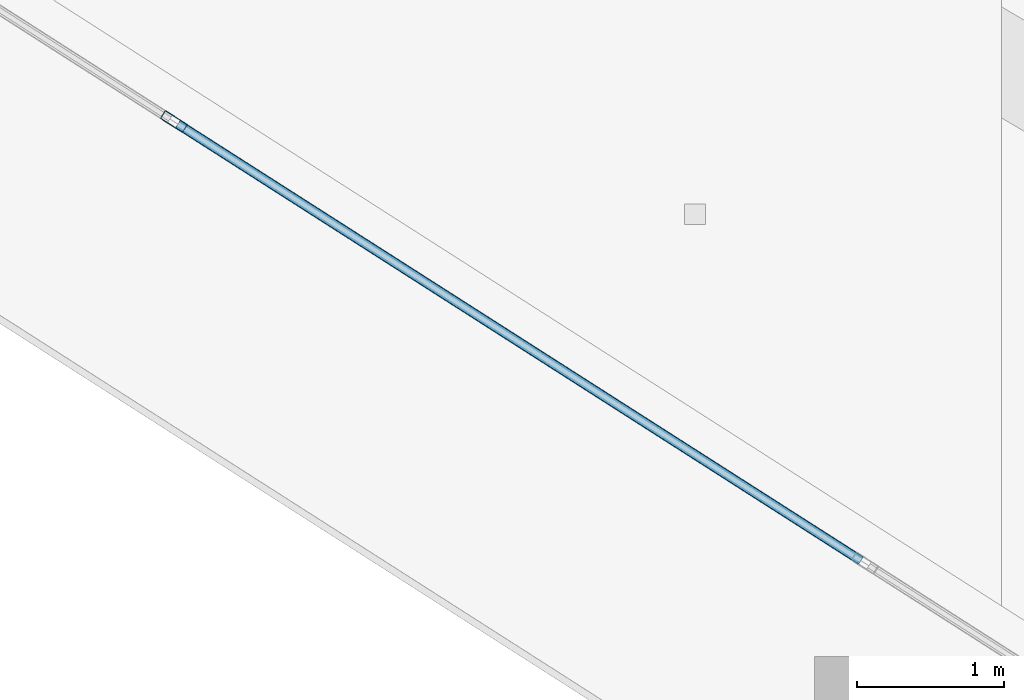
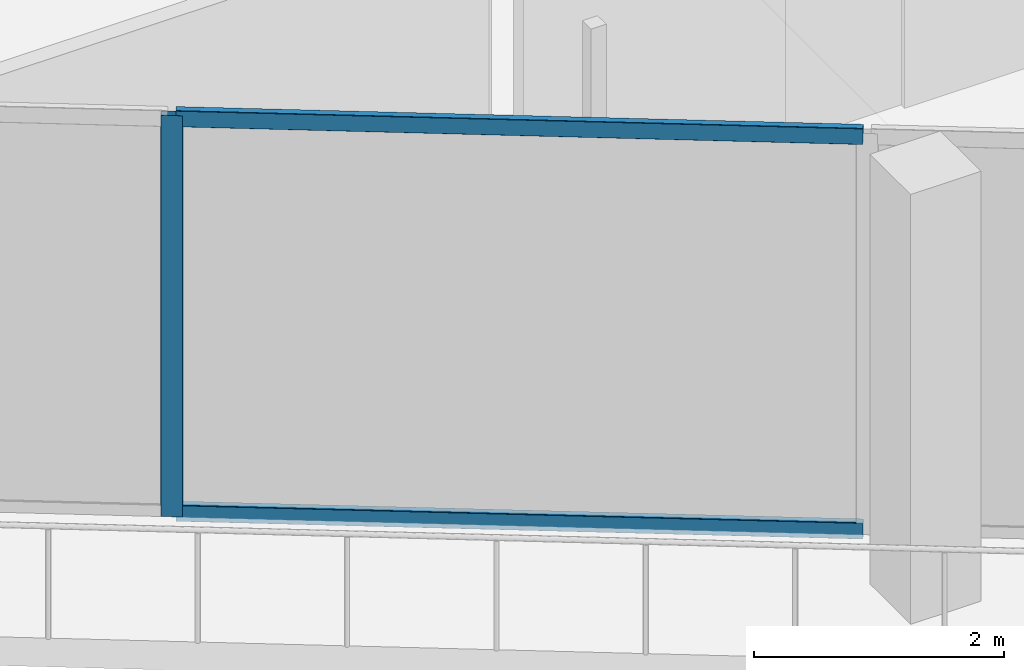
# One storey, part 5 of 46: 3 members, 1 element without a shape of its own.
"""IFC4 building model written with IfcOpenShell, lengths in metres."""

from ifc_helpers import new_model, si_unit, direction, frame, origin, origin_2d, place, context, subcontext, project, spatial, hollow_rectangle, extrude, material, layer, layer_set, material_profile, profile_set, type_object, element, aggregate, save


model = new_model("IFC4")

# Units and contexts
model_context = context("Model", 3, precision=1e-05, world=origin(), true_north=direction((0.0, 1.0)))
body_context = subcontext(model_context, "Body", "Model", "MODEL_VIEW")
ifc_project = project(units=[si_unit("LENGTHUNIT", "METRE"), si_unit("AREAUNIT", "SQUARE_METRE"), si_unit("VOLUMEUNIT", "CUBIC_METRE"), si_unit("PLANEANGLEUNIT", "RADIAN"), si_unit("MASSUNIT", "GRAM", prefix="KILO")], contexts=[model_context])

# Site, building, storey
site_placement = place(None, origin())
site = spatial("IfcSite", under=ifc_project, at=site_placement, CompositionType="ELEMENT")
building_placement = place(site_placement, origin())
building = spatial("IfcBuilding", under=site, at=building_placement, Name="Qorvath Tower", CompositionType="ELEMENT")
storey_placement = place(building_placement, frame((0.0, 0.0, 87.0)))
storey = spatial("IfcBuildingStorey", under=building, at=storey_placement, Name="L19", CompositionType="ELEMENT", Elevation=87.0)

# Curtain wall, members
ifc_material_1 = material(Name="Anodised aluminium and triple low-E glass", Category="aluminium")
ifc_layer = layer(ifc_material_1, 0.179931640625)
ifc_layer_set = layer_set([ifc_layer], Name="CW-SYS-2")
curtain_wall_type = type_object("IfcCurtainWallType", Name="CW-SYS-2", PredefinedType="NOTDEFINED", material=ifc_layer_set)
curtain_wall_placement = place(storey_placement, origin())
curtain_wall = element("IfcCurtainWall", 1, at=curtain_wall_placement, inside=storey, type_object=curtain_wall_type, Name="Curtain Wall CW-2 CW-T-L19-2.1", PredefinedType="NOTDEFINED")
ifc_material_2 = material(Name="Anodised aluminium 6063-T6", Category="aluminium")
ifc_material_profile_1 = material_profile(ifc_material_2, hollow_rectangle(XDim=0.06494140625, YDim=0.179931640625, WallThickness=0.00341796875, InnerFilletRadius=0.00341796875, OuterFilletRadius=0.007080078125, at=origin_2d()), Name="CWM 180x65")
ifc_profile_set_1 = profile_set([ifc_material_profile_1], Name="Anodised aluminium 6063-T6")
member_type_1 = type_object("IfcMemberType", Name="CWM-180", PredefinedType="MULLION", material=ifc_profile_set_1)
member_1_placement = place(storey_placement, frame((-45.0107421875, -12.995361328125, 0.0), z_axis=(0.0, 0.0, 1.0), x_axis=(0.538527563, 0.842607894509, 0.0)))
member_1 = element("IfcMember", 2, at=member_1_placement, type_object=member_type_1, Name="CW-2 mullion 4", PredefinedType="MULLION", context=body_context, shape_type="SweptSolid", body=[
    extrude(hollow_rectangle(XDim=0.06494140625, YDim=0.179931640625, WallThickness=0.00341796875, InnerFilletRadius=0.00341796875, OuterFilletRadius=0.007080078125, at=origin_2d()), origin(), (0.0, 0.0, 1.0), 3.919921875),
])
ifc_material_3 = material(Name="Anodised aluminium 6063-T6", Category="aluminium")
ifc_material_profile_2 = material_profile(ifc_material_3, hollow_rectangle(XDim=0.06494140625, YDim=0.159912109375, WallThickness=0.00341796875, InnerFilletRadius=0.00341796875, OuterFilletRadius=0.007080078125, at=origin_2d()), Name="CWT 160x65")
ifc_profile_set_2 = profile_set([ifc_material_profile_2], Name="Anodised aluminium 6063-T6")
member_type_2 = type_object("IfcMemberType", Name="CWT-160", PredefinedType="USERDEFINED", material=ifc_profile_set_2)
member_2_placement = place(storey_placement, frame((-44.9833984375, -13.0126953125, 0.032470703125), z_axis=(0.842597346925, -0.538544065935, 0.0), x_axis=(0.538544065935, 0.842597346925, 0.0)))
member_2 = element("IfcMember", 3, at=member_2_placement, type_object=member_type_2, Name="CW-2 transom 4.1", ObjectType="TRANSOM", PredefinedType="USERDEFINED", context=body_context, shape_type="SweptSolid", body=[
    extrude(hollow_rectangle(XDim=0.06494140625, YDim=0.159912109375, WallThickness=0.00341796875, InnerFilletRadius=0.00341796875, OuterFilletRadius=0.007080078125, at=origin_2d()), origin(), (0.0, 0.0, 1.0), 5.506591796875),
])
member_3_placement = place(storey_placement, frame((-44.9833984375, -13.0126953125, 3.887451171875), z_axis=(0.842597346925, -0.538544065935, 0.0), x_axis=(0.538544065935, 0.842597346925, 0.0)))
member_3 = element("IfcMember", 4, at=member_3_placement, type_object=member_type_2, Name="CW-2 transom 4.2", ObjectType="TRANSOM", PredefinedType="USERDEFINED", context=body_context, shape_type="SweptSolid", body=[
    extrude(hollow_rectangle(XDim=0.06494140625, YDim=0.159912109375, WallThickness=0.00341796875, InnerFilletRadius=0.00341796875, OuterFilletRadius=0.007080078125, at=origin_2d()), origin(), (0.0, 0.0, 1.0), 5.506591796875),
])
aggregate(curtain_wall, [member_1, member_2, member_3])

save(model, "model.ifc")
